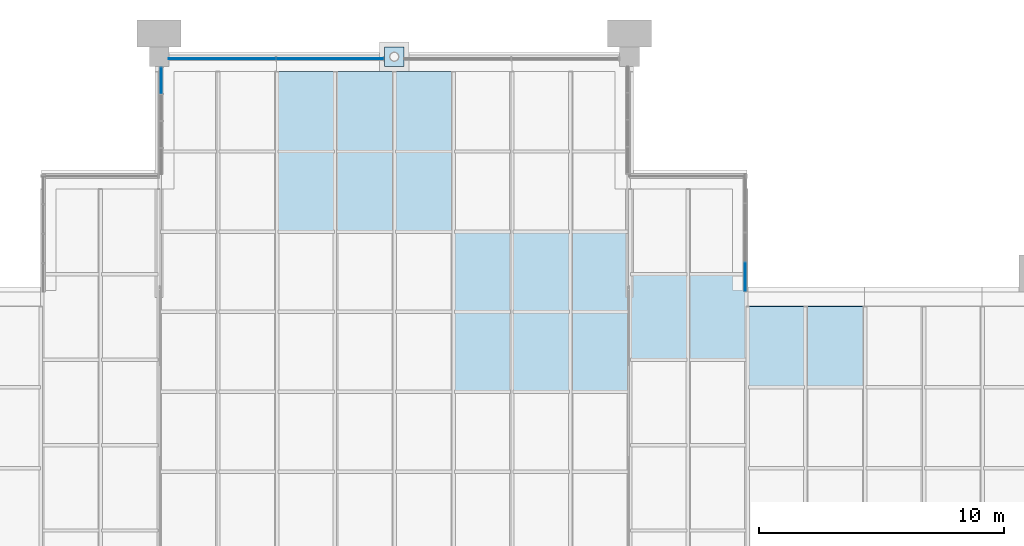
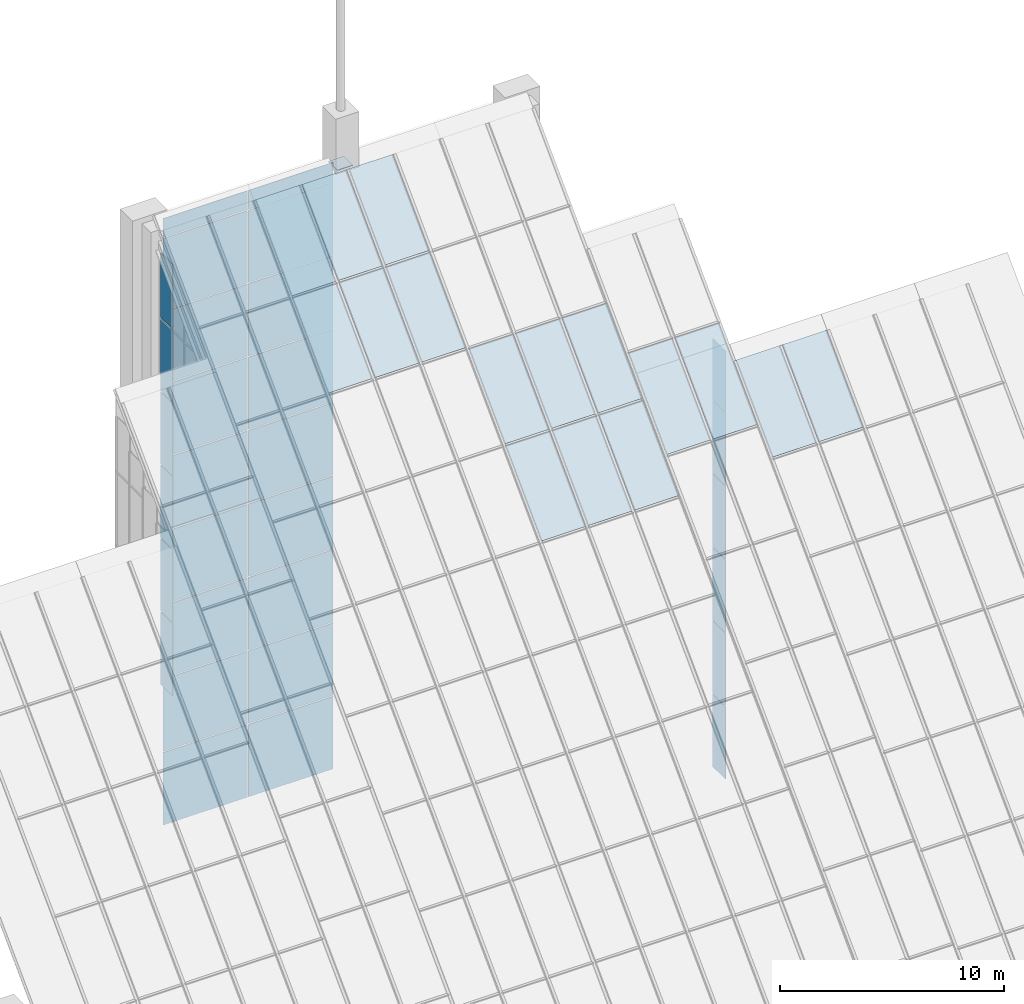
# One storey, part 22 of 25: 47 plates, 40 elements without a shape of their own.
"""IFC4 building model written with IfcOpenShell, lengths in metres."""

from ifc_helpers import new_model, si_unit, direction, frame, origin, origin_2d, place, context, subcontext, project, spatial, polyline, rectangle, outline, extrude, material, layer, layer_set, type_object, element, aggregate, save


model = new_model("IFC4")

# Units and contexts
model_context = context("Model", 3, precision=1e-05, world=origin(), true_north=direction((0.0, 1.0)))
body_context = subcontext(model_context, "Body", "Model", "MODEL_VIEW")
ifc_project = project(units=[si_unit("LENGTHUNIT", "METRE"), si_unit("AREAUNIT", "SQUARE_METRE"), si_unit("VOLUMEUNIT", "CUBIC_METRE"), si_unit("PLANEANGLEUNIT", "RADIAN"), si_unit("MASSUNIT", "GRAM", prefix="KILO")], contexts=[model_context])

# Site, building, storey
site_placement = place(None, origin())
site = spatial("IfcSite", under=ifc_project, at=site_placement, CompositionType="ELEMENT")
building_placement = place(site_placement, origin())
building = spatial("IfcBuilding", under=site, at=building_placement, Name="Baori Bourse Tower", CompositionType="ELEMENT")
storey_placement = place(building_placement, frame((0.0, 0.0, 378.300048828125)))
storey = spatial("IfcBuildingStorey", under=building, at=storey_placement, Name="Roof", CompositionType="ELEMENT", Elevation=378.300048828125)

# Curtain wall, plate
ifc_material_1 = material(Name="Pale anodised aluminium", Category="aluminium")
curtain_wall_type_1 = type_object("IfcCurtainWallType", Name="CW3 Curtain wall", PredefinedType="NOTDEFINED", material=ifc_material_1)
curtain_wall_1_placement = place(storey_placement, origin())
curtain_wall_1 = element("IfcCurtainWall", 1, at=curtain_wall_1_placement, inside=storey, type_object=curtain_wall_type_1, Name="Curtain wall CW3 Roof 1", PredefinedType="NOTDEFINED")
ifc_material_2 = material(Name="Pale anodised aluminium", Category="aluminium")
ifc_layer_1 = layer(ifc_material_2, 0.0400390625)
ifc_layer_set_1 = layer_set([ifc_layer_1], Name="CW3 Curtain wall panel")
plate_type_1 = type_object("IfcPlateType", Name="CW3 Curtain wall panel", PredefinedType="CURTAIN_PANEL", material=ifc_layer_set_1)
plate_1_placement = place(storey_placement, frame((43.1201171875, 39.02490234375, -0.18994140625), z_axis=(0.0, 0.0, 1.0), x_axis=(0.0, 1.0, 0.0)))
plate_1 = element("IfcPlate", 2, at=plate_1_placement, type_object=plate_type_1, Name="Curtain wall CW3 louvre panel", PredefinedType="CURTAIN_PANEL", context=body_context, shape_type="SweptSolid", body=[
    extrude(rectangle(XDim=1.14990234375, YDim=0.0400390625, at=origin_2d()), origin(), (0.0, 0.0, 1.0), 3.93994140625),
])
aggregate(curtain_wall_1, [plate_1])

curtain_wall_2_placement = place(storey_placement, origin())
curtain_wall_2 = element("IfcCurtainWall", 3, at=curtain_wall_2_placement, inside=storey, type_object=curtain_wall_type_1, Name="Curtain wall CW3 Roof 2", PredefinedType="NOTDEFINED")
plate_2_placement = place(storey_placement, frame((43.1201171875, 39.02490234375, 3.81005859375), z_axis=(0.0, 0.0, 1.0), x_axis=(0.0, 1.0, 0.0)))
plate_2 = element("IfcPlate", 4, at=plate_2_placement, type_object=plate_type_1, Name="Curtain wall CW3 louvre panel", PredefinedType="CURTAIN_PANEL", context=body_context, shape_type="SweptSolid", body=[
    extrude(rectangle(XDim=1.14990234375, YDim=0.0400390625, at=origin_2d()), origin(), (0.0, 0.0, 1.0), 3.93994140625),
])
aggregate(curtain_wall_2, [plate_2])

curtain_wall_3_placement = place(storey_placement, origin())
curtain_wall_3 = element("IfcCurtainWall", 5, at=curtain_wall_3_placement, inside=storey, type_object=curtain_wall_type_1, Name="Curtain wall CW3 Roof 3", PredefinedType="NOTDEFINED")
plate_3_placement = place(storey_placement, frame((43.1201171875, 39.02490234375, 7.81005859375), z_axis=(0.0, 0.0, 1.0), x_axis=(0.0, 1.0, 0.0)))
plate_3 = element("IfcPlate", 6, at=plate_3_placement, type_object=plate_type_1, Name="Curtain wall CW3 louvre panel", PredefinedType="CURTAIN_PANEL", context=body_context, shape_type="SweptSolid", body=[
    extrude(rectangle(XDim=1.14990234375, YDim=0.0400390625, at=origin_2d()), origin(), (0.0, 0.0, 1.0), 3.93994140625),
])
aggregate(curtain_wall_3, [plate_3])

curtain_wall_4_placement = place(storey_placement, origin())
curtain_wall_4 = element("IfcCurtainWall", 7, at=curtain_wall_4_placement, inside=storey, type_object=curtain_wall_type_1, Name="Curtain wall CW3 Roof 4", PredefinedType="NOTDEFINED")
plate_4_placement = place(storey_placement, frame((43.1201171875, 39.02490234375, 11.81005859375), z_axis=(0.0, 0.0, 1.0), x_axis=(0.0, 1.0, 0.0)))
plate_4 = element("IfcPlate", 8, at=plate_4_placement, type_object=plate_type_1, Name="Curtain wall CW3 louvre panel", PredefinedType="CURTAIN_PANEL", context=body_context, shape_type="SweptSolid", body=[
    extrude(rectangle(XDim=1.14990234375, YDim=0.0400390625, at=origin_2d()), origin(), (0.0, 0.0, 1.0), 3.93994140625),
])
aggregate(curtain_wall_4, [plate_4])

curtain_wall_5_placement = place(storey_placement, origin())
curtain_wall_5 = element("IfcCurtainWall", 9, at=curtain_wall_5_placement, inside=storey, type_object=curtain_wall_type_1, Name="Curtain wall CW3 Roof 5", PredefinedType="NOTDEFINED")
plate_5_placement = place(storey_placement, frame((43.1201171875, 39.02490234375, 15.81005859375), z_axis=(0.0, 0.0, 1.0), x_axis=(0.0, 1.0, 0.0)))
plate_5 = element("IfcPlate", 10, at=plate_5_placement, type_object=plate_type_1, Name="Curtain wall CW3 louvre panel", PredefinedType="CURTAIN_PANEL", context=body_context, shape_type="SweptSolid", body=[
    extrude(rectangle(XDim=1.14990234375, YDim=0.0400390625, at=origin_2d()), origin(), (0.0, 0.0, 1.0), 3.93994140625),
])
aggregate(curtain_wall_5, [plate_5])

curtain_wall_6_placement = place(storey_placement, origin())
curtain_wall_6 = element("IfcCurtainWall", 11, at=curtain_wall_6_placement, inside=storey, type_object=curtain_wall_type_1, Name="Curtain wall CW3 Roof 6", PredefinedType="NOTDEFINED")
plate_6_placement = place(storey_placement, frame((43.1201171875, 39.02490234375, 19.81005859375), z_axis=(0.0, 0.0, 1.0), x_axis=(0.0, 1.0, 0.0)))
plate_6 = element("IfcPlate", 12, at=plate_6_placement, type_object=plate_type_1, Name="Curtain wall CW3 louvre panel", PredefinedType="CURTAIN_PANEL", context=body_context, shape_type="SweptSolid", body=[
    extrude(rectangle(XDim=1.14990234375, YDim=0.0400390625, at=origin_2d()), origin(), (0.0, 0.0, 1.0), 3.300048828125),
])
aggregate(curtain_wall_6, [plate_6])

curtain_wall_7_placement = place(storey_placement, origin())
curtain_wall_7 = element("IfcCurtainWall", 13, at=curtain_wall_7_placement, inside=storey, type_object=curtain_wall_type_1, Name="Curtain wall CW3 Roof 83", PredefinedType="NOTDEFINED")
plate_7_placement = place(storey_placement, frame((26.175048828125, 47.919921875, -0.18994140625), z_axis=(0.0, 0.0, 1.0), x_axis=(-1.0, 0.0, 0.0)))
plate_7 = element("IfcPlate", 14, at=plate_7_placement, type_object=plate_type_1, Name="Curtain wall CW3 louvre panel", PredefinedType="CURTAIN_PANEL", context=body_context, shape_type="SweptSolid", body=[
    extrude(rectangle(XDim=4.35009765625, YDim=0.0400390625, at=origin_2d()), origin(), (0.0, 0.0, 1.0), 3.93994140625),
])
aggregate(curtain_wall_7, [plate_7])

curtain_wall_8_placement = place(storey_placement, origin())
curtain_wall_8 = element("IfcCurtainWall", 15, at=curtain_wall_8_placement, inside=storey, type_object=curtain_wall_type_1, Name="Curtain wall CW3 Roof 84", PredefinedType="NOTDEFINED")
plate_8_placement = place(storey_placement, frame((26.175048828125, 47.919921875, 3.81005859375), z_axis=(0.0, 0.0, 1.0), x_axis=(-1.0, 0.0, 0.0)))
plate_8 = element("IfcPlate", 16, at=plate_8_placement, type_object=plate_type_1, Name="Curtain wall CW3 louvre panel", PredefinedType="CURTAIN_PANEL", context=body_context, shape_type="SweptSolid", body=[
    extrude(rectangle(XDim=4.35009765625, YDim=0.0400390625, at=origin_2d()), origin(), (0.0, 0.0, 1.0), 3.93994140625),
])
aggregate(curtain_wall_8, [plate_8])

curtain_wall_9_placement = place(storey_placement, origin())
curtain_wall_9 = element("IfcCurtainWall", 17, at=curtain_wall_9_placement, inside=storey, type_object=curtain_wall_type_1, Name="Curtain wall CW3 Roof 85", PredefinedType="NOTDEFINED")
plate_9_placement = place(storey_placement, frame((26.175048828125, 47.919921875, 7.81005859375), z_axis=(0.0, 0.0, 1.0), x_axis=(-1.0, 0.0, 0.0)))
plate_9 = element("IfcPlate", 18, at=plate_9_placement, type_object=plate_type_1, Name="Curtain wall CW3 louvre panel", PredefinedType="CURTAIN_PANEL", context=body_context, shape_type="SweptSolid", body=[
    extrude(rectangle(XDim=4.35009765625, YDim=0.0400390625, at=origin_2d()), origin(), (0.0, 0.0, 1.0), 3.93994140625),
])
aggregate(curtain_wall_9, [plate_9])

curtain_wall_10_placement = place(storey_placement, origin())
curtain_wall_10 = element("IfcCurtainWall", 19, at=curtain_wall_10_placement, inside=storey, type_object=curtain_wall_type_1, Name="Curtain wall CW3 Roof 86", PredefinedType="NOTDEFINED")
plate_10_placement = place(storey_placement, frame((26.175048828125, 47.919921875, 11.81005859375), z_axis=(0.0, 0.0, 1.0), x_axis=(-1.0, 0.0, 0.0)))
plate_10 = element("IfcPlate", 20, at=plate_10_placement, type_object=plate_type_1, Name="Curtain wall CW3 louvre panel", PredefinedType="CURTAIN_PANEL", context=body_context, shape_type="SweptSolid", body=[
    extrude(rectangle(XDim=4.35009765625, YDim=0.0400390625, at=origin_2d()), origin(), (0.0, 0.0, 1.0), 3.93994140625),
])
aggregate(curtain_wall_10, [plate_10])

curtain_wall_11_placement = place(storey_placement, origin())
curtain_wall_11 = element("IfcCurtainWall", 21, at=curtain_wall_11_placement, inside=storey, type_object=curtain_wall_type_1, Name="Curtain wall CW3 Roof 87", PredefinedType="NOTDEFINED")
plate_11_placement = place(storey_placement, frame((26.175048828125, 47.919921875, 15.81005859375), z_axis=(0.0, 0.0, 1.0), x_axis=(-1.0, 0.0, 0.0)))
plate_11 = element("IfcPlate", 22, at=plate_11_placement, type_object=plate_type_1, Name="Curtain wall CW3 louvre panel", PredefinedType="CURTAIN_PANEL", context=body_context, shape_type="SweptSolid", body=[
    extrude(rectangle(XDim=4.35009765625, YDim=0.0400390625, at=origin_2d()), origin(), (0.0, 0.0, 1.0), 3.93994140625),
])
aggregate(curtain_wall_11, [plate_11])

curtain_wall_12_placement = place(storey_placement, origin())
curtain_wall_12 = element("IfcCurtainWall", 23, at=curtain_wall_12_placement, inside=storey, type_object=curtain_wall_type_1, Name="Curtain wall CW3 Roof 88", PredefinedType="NOTDEFINED")
plate_12_placement = place(storey_placement, frame((26.175048828125, 47.919921875, 19.81005859375), z_axis=(0.0, 0.0, 1.0), x_axis=(-1.0, 0.0, 0.0)))
plate_12 = element("IfcPlate", 24, at=plate_12_placement, type_object=plate_type_1, Name="Curtain wall CW3 louvre panel", PredefinedType="CURTAIN_PANEL", context=body_context, shape_type="SweptSolid", body=[
    extrude(rectangle(XDim=4.35009765625, YDim=0.0400390625, at=origin_2d()), origin(), (0.0, 0.0, 1.0), 3.93994140625),
])
aggregate(curtain_wall_12, [plate_12])

curtain_wall_13_placement = place(storey_placement, origin())
curtain_wall_13 = element("IfcCurtainWall", 25, at=curtain_wall_13_placement, inside=storey, type_object=curtain_wall_type_1, Name="Curtain wall CW3 Roof 89", PredefinedType="NOTDEFINED")
plate_13_placement = place(storey_placement, frame((26.175048828125, 47.919921875, 23.81005859375), z_axis=(0.0, 0.0, 1.0), x_axis=(-1.0, 0.0, 0.0)))
plate_13 = element("IfcPlate", 26, at=plate_13_placement, type_object=plate_type_1, Name="Curtain wall CW3 louvre panel", PredefinedType="CURTAIN_PANEL", context=body_context, shape_type="SweptSolid", body=[
    extrude(rectangle(XDim=4.35009765625, YDim=0.0400390625, at=origin_2d()), origin(), (0.0, 0.0, 1.0), 3.93994140625),
])
aggregate(curtain_wall_13, [plate_13])

curtain_wall_14_placement = place(storey_placement, origin())
curtain_wall_14 = element("IfcCurtainWall", 27, at=curtain_wall_14_placement, inside=storey, type_object=curtain_wall_type_1, Name="Curtain wall CW3 Roof 90", PredefinedType="NOTDEFINED")
plate_14_placement = place(storey_placement, frame((26.175048828125, 47.919921875, 27.81005859375), z_axis=(0.0, 0.0, 1.0), x_axis=(-1.0, 0.0, 0.0)))
plate_14 = element("IfcPlate", 28, at=plate_14_placement, type_object=plate_type_1, Name="Curtain wall CW3 louvre panel", PredefinedType="CURTAIN_PANEL", context=body_context, shape_type="SweptSolid", body=[
    extrude(rectangle(XDim=4.35009765625, YDim=0.0400390625, at=origin_2d()), origin(), (0.0, 0.0, 1.0), 3.93994140625),
])
aggregate(curtain_wall_14, [plate_14])

curtain_wall_15_placement = place(storey_placement, origin())
curtain_wall_15 = element("IfcCurtainWall", 29, at=curtain_wall_15_placement, inside=storey, type_object=curtain_wall_type_1, Name="Curtain wall CW3 Roof 91", PredefinedType="NOTDEFINED")
plate_15_placement = place(storey_placement, frame((26.175048828125, 47.919921875, 31.81005859375), z_axis=(0.0, 0.0, 1.0), x_axis=(-1.0, 0.0, 0.0)))
plate_15 = element("IfcPlate", 30, at=plate_15_placement, type_object=plate_type_1, Name="Curtain wall CW3 louvre panel", PredefinedType="CURTAIN_PANEL", context=body_context, shape_type="SweptSolid", body=[
    extrude(rectangle(XDim=4.35009765625, YDim=0.0400390625, at=origin_2d()), origin(), (0.0, 0.0, 1.0), 1.02001953125),
])
aggregate(curtain_wall_15, [plate_15])

curtain_wall_16_placement = place(storey_placement, origin())
curtain_wall_16 = element("IfcCurtainWall", 31, at=curtain_wall_16_placement, inside=storey, type_object=curtain_wall_type_1, Name="Curtain wall CW3 Roof 92", PredefinedType="NOTDEFINED")
plate_16_placement = place(storey_placement, frame((21.77490234375, 47.919921875, -0.18994140625), z_axis=(0.0, 0.0, 1.0), x_axis=(-1.0, 0.0, 0.0)))
plate_16 = element("IfcPlate", 32, at=plate_16_placement, type_object=plate_type_1, Name="Curtain wall CW3 louvre panel", PredefinedType="CURTAIN_PANEL", context=body_context, shape_type="SweptSolid", body=[
    extrude(rectangle(XDim=4.35009765625, YDim=0.0400390625, at=origin_2d()), origin(), (0.0, 0.0, 1.0), 3.93994140625),
])
aggregate(curtain_wall_16, [plate_16])

curtain_wall_17_placement = place(storey_placement, origin())
curtain_wall_17 = element("IfcCurtainWall", 33, at=curtain_wall_17_placement, inside=storey, type_object=curtain_wall_type_1, Name="Curtain wall CW3 Roof 93", PredefinedType="NOTDEFINED")
plate_17_placement = place(storey_placement, frame((21.77490234375, 47.919921875, 3.81005859375), z_axis=(0.0, 0.0, 1.0), x_axis=(-1.0, 0.0, 0.0)))
plate_17 = element("IfcPlate", 34, at=plate_17_placement, type_object=plate_type_1, Name="Curtain wall CW3 louvre panel", PredefinedType="CURTAIN_PANEL", context=body_context, shape_type="SweptSolid", body=[
    extrude(rectangle(XDim=4.35009765625, YDim=0.0400390625, at=origin_2d()), origin(), (0.0, 0.0, 1.0), 3.93994140625),
])
aggregate(curtain_wall_17, [plate_17])

curtain_wall_18_placement = place(storey_placement, origin())
curtain_wall_18 = element("IfcCurtainWall", 35, at=curtain_wall_18_placement, inside=storey, type_object=curtain_wall_type_1, Name="Curtain wall CW3 Roof 94", PredefinedType="NOTDEFINED")
plate_18_placement = place(storey_placement, frame((21.77490234375, 47.919921875, 7.81005859375), z_axis=(0.0, 0.0, 1.0), x_axis=(-1.0, 0.0, 0.0)))
plate_18 = element("IfcPlate", 36, at=plate_18_placement, type_object=plate_type_1, Name="Curtain wall CW3 louvre panel", PredefinedType="CURTAIN_PANEL", context=body_context, shape_type="SweptSolid", body=[
    extrude(rectangle(XDim=4.35009765625, YDim=0.0400390625, at=origin_2d()), origin(), (0.0, 0.0, 1.0), 3.93994140625),
])
aggregate(curtain_wall_18, [plate_18])

curtain_wall_19_placement = place(storey_placement, origin())
curtain_wall_19 = element("IfcCurtainWall", 37, at=curtain_wall_19_placement, inside=storey, type_object=curtain_wall_type_1, Name="Curtain wall CW3 Roof 95", PredefinedType="NOTDEFINED")
plate_19_placement = place(storey_placement, frame((21.77490234375, 47.919921875, 11.81005859375), z_axis=(0.0, 0.0, 1.0), x_axis=(-1.0, 0.0, 0.0)))
plate_19 = element("IfcPlate", 38, at=plate_19_placement, type_object=plate_type_1, Name="Curtain wall CW3 louvre panel", PredefinedType="CURTAIN_PANEL", context=body_context, shape_type="SweptSolid", body=[
    extrude(rectangle(XDim=4.35009765625, YDim=0.0400390625, at=origin_2d()), origin(), (0.0, 0.0, 1.0), 3.93994140625),
])
aggregate(curtain_wall_19, [plate_19])

curtain_wall_20_placement = place(storey_placement, origin())
curtain_wall_20 = element("IfcCurtainWall", 39, at=curtain_wall_20_placement, inside=storey, type_object=curtain_wall_type_1, Name="Curtain wall CW3 Roof 96", PredefinedType="NOTDEFINED")
plate_20_placement = place(storey_placement, frame((21.77490234375, 47.919921875, 15.81005859375), z_axis=(0.0, 0.0, 1.0), x_axis=(-1.0, 0.0, 0.0)))
plate_20 = element("IfcPlate", 40, at=plate_20_placement, type_object=plate_type_1, Name="Curtain wall CW3 louvre panel", PredefinedType="CURTAIN_PANEL", context=body_context, shape_type="SweptSolid", body=[
    extrude(rectangle(XDim=4.35009765625, YDim=0.0400390625, at=origin_2d()), origin(), (0.0, 0.0, 1.0), 3.93994140625),
])
aggregate(curtain_wall_20, [plate_20])

curtain_wall_21_placement = place(storey_placement, origin())
curtain_wall_21 = element("IfcCurtainWall", 41, at=curtain_wall_21_placement, inside=storey, type_object=curtain_wall_type_1, Name="Curtain wall CW3 Roof 97", PredefinedType="NOTDEFINED")
plate_21_placement = place(storey_placement, frame((21.77490234375, 47.919921875, 19.81005859375), z_axis=(0.0, 0.0, 1.0), x_axis=(-1.0, 0.0, 0.0)))
plate_21 = element("IfcPlate", 42, at=plate_21_placement, type_object=plate_type_1, Name="Curtain wall CW3 louvre panel", PredefinedType="CURTAIN_PANEL", context=body_context, shape_type="SweptSolid", body=[
    extrude(rectangle(XDim=4.35009765625, YDim=0.0400390625, at=origin_2d()), origin(), (0.0, 0.0, 1.0), 3.93994140625),
])
aggregate(curtain_wall_21, [plate_21])

curtain_wall_22_placement = place(storey_placement, origin())
curtain_wall_22 = element("IfcCurtainWall", 43, at=curtain_wall_22_placement, inside=storey, type_object=curtain_wall_type_1, Name="Curtain wall CW3 Roof 98", PredefinedType="NOTDEFINED")
plate_22_placement = place(storey_placement, frame((21.77490234375, 47.919921875, 23.81005859375), z_axis=(0.0, 0.0, 1.0), x_axis=(-1.0, 0.0, 0.0)))
plate_22 = element("IfcPlate", 44, at=plate_22_placement, type_object=plate_type_1, Name="Curtain wall CW3 louvre panel", PredefinedType="CURTAIN_PANEL", context=body_context, shape_type="SweptSolid", body=[
    extrude(rectangle(XDim=4.35009765625, YDim=0.0400390625, at=origin_2d()), origin(), (0.0, 0.0, 1.0), 3.93994140625),
])
aggregate(curtain_wall_22, [plate_22])

curtain_wall_23_placement = place(storey_placement, origin())
curtain_wall_23 = element("IfcCurtainWall", 45, at=curtain_wall_23_placement, inside=storey, type_object=curtain_wall_type_1, Name="Curtain wall CW3 Roof 99", PredefinedType="NOTDEFINED")
plate_23_placement = place(storey_placement, frame((21.77490234375, 47.919921875, 27.81005859375), z_axis=(0.0, 0.0, 1.0), x_axis=(-1.0, 0.0, 0.0)))
plate_23 = element("IfcPlate", 46, at=plate_23_placement, type_object=plate_type_1, Name="Curtain wall CW3 louvre panel", PredefinedType="CURTAIN_PANEL", context=body_context, shape_type="SweptSolid", body=[
    extrude(rectangle(XDim=4.35009765625, YDim=0.0400390625, at=origin_2d()), origin(), (0.0, 0.0, 1.0), 3.93994140625),
])
aggregate(curtain_wall_23, [plate_23])

curtain_wall_24_placement = place(storey_placement, origin())
curtain_wall_24 = element("IfcCurtainWall", 47, at=curtain_wall_24_placement, inside=storey, type_object=curtain_wall_type_1, Name="Curtain wall CW3 Roof 100", PredefinedType="NOTDEFINED")
plate_24_placement = place(storey_placement, frame((21.77490234375, 47.919921875, 31.81005859375), z_axis=(0.0, 0.0, 1.0), x_axis=(-1.0, 0.0, 0.0)))
plate_24 = element("IfcPlate", 48, at=plate_24_placement, type_object=plate_type_1, Name="Curtain wall CW3 louvre panel", PredefinedType="CURTAIN_PANEL", context=body_context, shape_type="SweptSolid", body=[
    extrude(rectangle(XDim=4.35009765625, YDim=0.0400390625, at=origin_2d()), origin(), (0.0, 0.0, 1.0), 1.02001953125),
])
aggregate(curtain_wall_24, [plate_24])

curtain_wall_25_placement = place(storey_placement, origin())
curtain_wall_25 = element("IfcCurtainWall", 49, at=curtain_wall_25_placement, inside=storey, type_object=curtain_wall_type_1, Name="Curtain wall CW3 Roof 103", PredefinedType="NOTDEFINED")
plate_25_placement = place(storey_placement, frame((19.280029296875, 47.02490234375, 7.81005859375), z_axis=(0.0, 0.0, 1.0), x_axis=(0.0, -1.0, 0.0)))
plate_25 = element("IfcPlate", 50, at=plate_25_placement, type_object=plate_type_1, Name="Curtain wall CW3 louvre panel", PredefinedType="CURTAIN_PANEL", context=body_context, shape_type="SweptSolid", body=[
    extrude(rectangle(XDim=1.050048828125, YDim=0.0400390625, at=origin_2d()), origin(), (0.0, 0.0, 1.0), 3.93994140625),
])
aggregate(curtain_wall_25, [plate_25])

curtain_wall_26_placement = place(storey_placement, origin())
curtain_wall_26 = element("IfcCurtainWall", 51, at=curtain_wall_26_placement, inside=storey, type_object=curtain_wall_type_1, Name="Curtain wall CW3 Roof 104", PredefinedType="NOTDEFINED")
plate_26_placement = place(storey_placement, frame((19.280029296875, 47.02490234375, 11.81005859375), z_axis=(0.0, 0.0, 1.0), x_axis=(0.0, -1.0, 0.0)))
plate_26 = element("IfcPlate", 52, at=plate_26_placement, type_object=plate_type_1, Name="Curtain wall CW3 louvre panel", PredefinedType="CURTAIN_PANEL", context=body_context, shape_type="SweptSolid", body=[
    extrude(rectangle(XDim=1.050048828125, YDim=0.0400390625, at=origin_2d()), origin(), (0.0, 0.0, 1.0), 3.93994140625),
])
aggregate(curtain_wall_26, [plate_26])

curtain_wall_27_placement = place(storey_placement, origin())
curtain_wall_27 = element("IfcCurtainWall", 53, at=curtain_wall_27_placement, inside=storey, type_object=curtain_wall_type_1, Name="Curtain wall CW3 Roof 105", PredefinedType="NOTDEFINED")
plate_27_placement = place(storey_placement, frame((19.280029296875, 47.02490234375, 15.81005859375), z_axis=(0.0, 0.0, 1.0), x_axis=(0.0, -1.0, 0.0)))
plate_27 = element("IfcPlate", 54, at=plate_27_placement, type_object=plate_type_1, Name="Curtain wall CW3 louvre panel", PredefinedType="CURTAIN_PANEL", context=body_context, shape_type="SweptSolid", body=[
    extrude(rectangle(XDim=1.050048828125, YDim=0.0400390625, at=origin_2d()), origin(), (0.0, 0.0, 1.0), 3.93994140625),
])
aggregate(curtain_wall_27, [plate_27])

curtain_wall_28_placement = place(storey_placement, origin())
curtain_wall_28 = element("IfcCurtainWall", 55, at=curtain_wall_28_placement, inside=storey, type_object=curtain_wall_type_1, Name="Curtain wall CW3 Roof 106", PredefinedType="NOTDEFINED")
plate_28_placement = place(storey_placement, frame((19.280029296875, 47.02490234375, 19.81005859375), z_axis=(0.0, 0.0, 1.0), x_axis=(0.0, -1.0, 0.0)))
plate_28 = element("IfcPlate", 56, at=plate_28_placement, type_object=plate_type_1, Name="Curtain wall CW3 louvre panel", PredefinedType="CURTAIN_PANEL", context=body_context, shape_type="SweptSolid", body=[
    extrude(rectangle(XDim=1.050048828125, YDim=0.0400390625, at=origin_2d()), origin(), (0.0, 0.0, 1.0), 3.93994140625),
])
aggregate(curtain_wall_28, [plate_28])

curtain_wall_29_placement = place(storey_placement, origin())
curtain_wall_29 = element("IfcCurtainWall", 57, at=curtain_wall_29_placement, inside=storey, type_object=curtain_wall_type_1, Name="Curtain wall CW3 Roof 107", PredefinedType="NOTDEFINED")
plate_29_placement = place(storey_placement, frame((19.280029296875, 47.02490234375, 23.81005859375), z_axis=(0.0, 0.0, 1.0), x_axis=(0.0, -1.0, 0.0)))
plate_29 = element("IfcPlate", 58, at=plate_29_placement, type_object=plate_type_1, Name="Curtain wall CW3 louvre panel", PredefinedType="CURTAIN_PANEL", context=body_context, shape_type="SweptSolid", body=[
    extrude(rectangle(XDim=1.050048828125, YDim=0.0400390625, at=origin_2d()), origin(), (0.0, 0.0, 1.0), 3.93994140625),
])
aggregate(curtain_wall_29, [plate_29])

curtain_wall_30_placement = place(storey_placement, origin())
curtain_wall_30 = element("IfcCurtainWall", 59, at=curtain_wall_30_placement, inside=storey, type_object=curtain_wall_type_1, Name="Curtain wall CW3 Roof 108", PredefinedType="NOTDEFINED")
plate_30_placement = place(storey_placement, frame((19.280029296875, 47.02490234375, 27.81005859375), z_axis=(0.0, 0.0, 1.0), x_axis=(0.0, -1.0, 0.0)))
plate_30 = element("IfcPlate", 60, at=plate_30_placement, type_object=plate_type_1, Name="Curtain wall CW3 louvre panel", PredefinedType="CURTAIN_PANEL", context=body_context, shape_type="SweptSolid", body=[
    extrude(rectangle(XDim=1.050048828125, YDim=0.0400390625, at=origin_2d()), origin(), (0.0, 0.0, 1.0), 3.501220703125),
])
aggregate(curtain_wall_30, [plate_30])

# Curtain wall, plates
ifc_material_3 = material(Name="Pale anodised aluminium", Category="aluminium")
curtain_wall_type_2 = type_object("IfcCurtainWallType", Name="CW4 Curtain wall", PredefinedType="NOTDEFINED", material=ifc_material_3)
curtain_wall_31_placement = place(storey_placement, origin())
curtain_wall_31 = element("IfcCurtainWall", 61, at=curtain_wall_31_placement, inside=storey, type_object=curtain_wall_type_2, Name="Curtain wall CW4 roof glazing 13", PredefinedType="NOTDEFINED")
ifc_material_4 = material(Name="Clear glass", Category="glass")
ifc_layer_2 = layer(ifc_material_4, 0.02587890625)
ifc_layer_set_2 = layer_set([ifc_layer_2], Name="CW4 Curtain wall panel")
plate_type_2 = type_object("IfcPlateType", Name="CW4 Curtain wall panel", PredefinedType="CURTAIN_PANEL", material=ifc_layer_set_2)
plate_31_placement = place(storey_placement, frame((24.050048828125, 40.89208984375, 26.021484375), z_axis=(0.0, -0.711472169684, 0.702714274628), x_axis=(1.0, 0.0, 0.0)))
plate_31 = element("IfcPlate", 62, at=plate_31_placement, type_object=plate_type_2, Name="Curtain wall CW4 roof glass 13.9", PredefinedType="CURTAIN_PANEL", context=body_context, shape_type="SweptSolid", body=[
    extrude(outline(polyline([(0.0, 0.0), (2.300048828125, 0.0), (2.300048828125, 4.571767787236855), (0.0, 4.571767787236855), (0.0, 0.0)])), origin(), (0.0, 0.0, -1.0), 0.02587890625),
])
plate_32_placement = place(storey_placement, frame((24.050048828125, 44.159912109375, 29.329833984375), z_axis=(0.0, -0.711514110616, 0.702671808453), x_axis=(1.0, 0.0, 0.0)))
plate_32 = element("IfcPlate", 63, at=plate_32_placement, type_object=plate_type_2, Name="Curtain wall CW4 roof glass 13.10", PredefinedType="CURTAIN_PANEL", context=body_context, shape_type="SweptSolid", body=[
    extrude(outline(polyline([(0.0, 0.0), (2.300048828125, 0.0), (2.300048828125, 4.610958053817105), (0.0, 4.610958053817105), (0.0, 0.0)])), origin(), (0.0, 0.0, -1.0), 0.02587890625),
])
aggregate(curtain_wall_31, [plate_31, plate_32])

curtain_wall_32_placement = place(storey_placement, origin())
curtain_wall_32 = element("IfcCurtainWall", 64, at=curtain_wall_32_placement, inside=storey, type_object=curtain_wall_type_2, Name="Curtain wall CW4 roof glazing 15", PredefinedType="NOTDEFINED")
plate_33_placement = place(storey_placement, frame((26.449951171875, 40.89208984375, 26.021484375), z_axis=(0.0, -0.711472169684, 0.702714274628), x_axis=(1.0, 0.0, 0.0)))
plate_33 = element("IfcPlate", 65, at=plate_33_placement, type_object=plate_type_2, Name="Curtain wall CW4 roof glass 15.9", PredefinedType="CURTAIN_PANEL", context=body_context, shape_type="SweptSolid", body=[
    extrude(outline(polyline([(0.0, 0.0), (2.300048828125, 0.0), (2.300048828125, 4.571767787236855), (0.0, 4.571767787236855), (0.0, 0.0)])), origin(), (0.0, 0.0, -1.0), 0.02587890625),
])
plate_34_placement = place(storey_placement, frame((26.449951171875, 44.159912109375, 29.329833984375), z_axis=(0.0, -0.711514110616, 0.702671808453), x_axis=(1.0, 0.0, 0.0)))
plate_34 = element("IfcPlate", 66, at=plate_34_placement, type_object=plate_type_2, Name="Curtain wall CW4 roof glass 15.10", PredefinedType="CURTAIN_PANEL", context=body_context, shape_type="SweptSolid", body=[
    extrude(outline(polyline([(0.0, 0.0), (2.300048828125, 0.0), (2.300048828125, 4.610958053817105), (0.0, 4.610958053817105), (0.0, 0.0)])), origin(), (0.0, 0.0, -1.0), 0.02587890625),
])
aggregate(curtain_wall_32, [plate_33, plate_34])

curtain_wall_33_placement = place(storey_placement, origin())
curtain_wall_33 = element("IfcCurtainWall", 67, at=curtain_wall_33_placement, inside=storey, type_object=curtain_wall_type_2, Name="Curtain wall CW4 roof glazing 17", PredefinedType="NOTDEFINED")
plate_35_placement = place(storey_placement, frame((28.85009765625, 40.89208984375, 26.021484375), z_axis=(0.0, -0.711472169684, 0.702714274628), x_axis=(1.0, 0.0, 0.0)))
plate_35 = element("IfcPlate", 68, at=plate_35_placement, type_object=plate_type_2, Name="Curtain wall CW4 roof glass 17.9", PredefinedType="CURTAIN_PANEL", context=body_context, shape_type="SweptSolid", body=[
    extrude(outline(polyline([(0.0, 0.0), (2.2998046875, 0.0), (2.2998046875, 4.571767787236855), (0.0, 4.571767787236855), (0.0, 0.0)])), origin(), (0.0, 0.0, -1.0), 0.02587890625),
])
plate_36_placement = place(storey_placement, frame((28.85009765625, 44.159912109375, 29.329833984375), z_axis=(0.0, -0.711514110616, 0.702671808453), x_axis=(1.0, 0.0, 0.0)))
plate_36 = element("IfcPlate", 69, at=plate_36_placement, type_object=plate_type_2, Name="Curtain wall CW4 roof glass 17.10", PredefinedType="CURTAIN_PANEL", context=body_context, shape_type="SweptSolid", body=[
    extrude(outline(polyline([(0.0, 0.0), (2.2998046875, 0.0), (2.2998046875, 4.610958053817105), (0.0, 4.610958053817105), (0.0, 0.0)])), origin(), (0.0, 0.0, -1.0), 0.02587890625),
])
aggregate(curtain_wall_33, [plate_35, plate_36])

curtain_wall_34_placement = place(storey_placement, origin())
curtain_wall_34 = element("IfcCurtainWall", 70, at=curtain_wall_34_placement, inside=storey, type_object=curtain_wall_type_2, Name="Curtain wall CW4 roof glazing 19", PredefinedType="NOTDEFINED")
plate_37_placement = place(storey_placement, frame((31.25, 34.35693359375, 19.404296875), z_axis=(0.0, -0.711498538382, 0.702687576296), x_axis=(1.0, 0.0, 0.0)))
plate_37 = element("IfcPlate", 71, at=plate_37_placement, type_object=plate_type_2, Name="Curtain wall CW4 roof glass 19.7", PredefinedType="CURTAIN_PANEL", context=body_context, shape_type="SweptSolid", body=[
    extrude(outline(polyline([(0.0, 0.0), (2.300048828125, 0.0), (2.300048828125, 4.571941489715928), (0.0, 4.571941489715928), (0.0, 0.0)])), origin(), (0.0, 0.0, -1.0), 0.02587890625),
])
plate_38_placement = place(storey_placement, frame((31.25, 37.62451171875, 22.712890625), z_axis=(0.0, -0.711498538382, 0.702687576296), x_axis=(1.0, 0.0, 0.0)))
plate_38 = element("IfcPlate", 72, at=plate_38_placement, type_object=plate_type_2, Name="Curtain wall CW4 roof glass 19.8", PredefinedType="CURTAIN_PANEL", context=body_context, shape_type="SweptSolid", body=[
    extrude(outline(polyline([(0.0, 0.0), (2.300048828125, 0.0), (2.300048828125, 4.571941489715928), (0.0, 4.571941489715928), (0.0, 0.0)])), origin(), (0.0, 0.0, -1.0), 0.02587890625),
])
aggregate(curtain_wall_34, [plate_37, plate_38])

curtain_wall_35_placement = place(storey_placement, origin())
curtain_wall_35 = element("IfcCurtainWall", 73, at=curtain_wall_35_placement, inside=storey, type_object=curtain_wall_type_2, Name="Curtain wall CW4 roof glazing 21", PredefinedType="NOTDEFINED")
plate_39_placement = place(storey_placement, frame((33.64990234375, 34.35693359375, 19.404296875), z_axis=(0.0, -0.711498538382, 0.702687576296), x_axis=(1.0, 0.0, 0.0)))
plate_39 = element("IfcPlate", 74, at=plate_39_placement, type_object=plate_type_2, Name="Curtain wall CW4 roof glass 21.7", PredefinedType="CURTAIN_PANEL", context=body_context, shape_type="SweptSolid", body=[
    extrude(outline(polyline([(0.0, 0.0), (2.300048828125, 0.0), (2.300048828125, 4.571941489715928), (0.0, 4.571941489715928), (0.0, 0.0)])), origin(), (0.0, 0.0, -1.0), 0.02587890625),
])
plate_40_placement = place(storey_placement, frame((33.64990234375, 37.62451171875, 22.712890625), z_axis=(0.0, -0.711498538382, 0.702687576296), x_axis=(1.0, 0.0, 0.0)))
plate_40 = element("IfcPlate", 75, at=plate_40_placement, type_object=plate_type_2, Name="Curtain wall CW4 roof glass 21.8", PredefinedType="CURTAIN_PANEL", context=body_context, shape_type="SweptSolid", body=[
    extrude(outline(polyline([(0.0, 0.0), (2.300048828125, 0.0), (2.300048828125, 4.571941489715928), (0.0, 4.571941489715928), (0.0, 0.0)])), origin(), (0.0, 0.0, -1.0), 0.02587890625),
])
aggregate(curtain_wall_35, [plate_39, plate_40])

curtain_wall_36_placement = place(storey_placement, origin())
curtain_wall_36 = element("IfcCurtainWall", 76, at=curtain_wall_36_placement, inside=storey, type_object=curtain_wall_type_2, Name="Curtain wall CW4 roof glazing 23", PredefinedType="NOTDEFINED")
plate_41_placement = place(storey_placement, frame((36.050048828125, 34.35693359375, 19.404296875), z_axis=(0.0, -0.711498538382, 0.702687576296), x_axis=(1.0, 0.0, 0.0)))
plate_41 = element("IfcPlate", 77, at=plate_41_placement, type_object=plate_type_2, Name="Curtain wall CW4 roof glass 23.7", PredefinedType="CURTAIN_PANEL", context=body_context, shape_type="SweptSolid", body=[
    extrude(outline(polyline([(0.0, 0.0), (2.300048828125, 0.0), (2.300048828125, 4.571941489715928), (0.0, 4.571941489715928), (0.0, 0.0)])), origin(), (0.0, 0.0, -1.0), 0.02587890625),
])
plate_42_placement = place(storey_placement, frame((36.050048828125, 37.62451171875, 22.712890625), z_axis=(0.0, -0.711498538382, 0.702687576296), x_axis=(1.0, 0.0, 0.0)))
plate_42 = element("IfcPlate", 78, at=plate_42_placement, type_object=plate_type_2, Name="Curtain wall CW4 roof glass 23.8", PredefinedType="CURTAIN_PANEL", context=body_context, shape_type="SweptSolid", body=[
    extrude(outline(polyline([(0.0, 0.0), (2.300048828125, 0.0), (2.300048828125, 4.571941489715928), (0.0, 4.571941489715928), (0.0, 0.0)])), origin(), (0.0, 0.0, -1.0), 0.02587890625),
])
aggregate(curtain_wall_36, [plate_41, plate_42])

# Curtain wall, plate
curtain_wall_37_placement = place(storey_placement, origin())
curtain_wall_37 = element("IfcCurtainWall", 79, at=curtain_wall_37_placement, inside=storey, type_object=curtain_wall_type_2, Name="Curtain wall CW4 roof glazing 25", PredefinedType="NOTDEFINED")
plate_43_placement = place(storey_placement, frame((38.449951171875, 35.658447265625, 20.8076171875), z_axis=(0.0, -0.711495214068, 0.702690942277), x_axis=(1.0, 0.0, 0.0)))
plate_43 = element("IfcPlate", 80, at=plate_43_placement, type_object=plate_type_2, Name="Curtain wall CW4 roof glass 25.7", PredefinedType="CURTAIN_PANEL", context=body_context, shape_type="SweptSolid", body=[
    extrude(outline(polyline([(0.0, 0.0), (2.300048828125, 0.0), (2.300048828125, 4.88044338277737), (0.0, 4.88044338277737), (0.0, 0.0)])), origin(), (0.0, 0.0, -1.0), 0.02587890625),
])
aggregate(curtain_wall_37, [plate_43])

curtain_wall_38_placement = place(storey_placement, origin())
curtain_wall_38 = element("IfcCurtainWall", 81, at=curtain_wall_38_placement, inside=storey, type_object=curtain_wall_type_2, Name="Curtain wall CW4 roof glazing 27", PredefinedType="NOTDEFINED")
plate_44_placement = place(storey_placement, frame((40.85009765625, 35.658447265625, 20.8076171875), z_axis=(0.0, -0.711495214068, 0.702690942277), x_axis=(1.0, 0.0, 0.0)))
plate_44 = element("IfcPlate", 82, at=plate_44_placement, type_object=plate_type_2, Name="Curtain wall CW4 roof glass 27.7", PredefinedType="CURTAIN_PANEL", context=body_context, shape_type="SweptSolid", body=[
    extrude(outline(polyline([(0.0, 0.0), (2.2998046875, 0.0), (2.2998046875, 4.88044338277737), (0.0, 4.88044338277737), (0.0, 0.0)])), origin(), (0.0, 0.0, -1.0), 0.02587890625),
])
aggregate(curtain_wall_38, [plate_44])

curtain_wall_39_placement = place(storey_placement, origin())
curtain_wall_39 = element("IfcCurtainWall", 83, at=curtain_wall_39_placement, inside=storey, type_object=curtain_wall_type_2, Name="Curtain wall CW4 roof glazing 28", PredefinedType="NOTDEFINED")
plate_45_placement = place(storey_placement, frame((43.25, 34.53076171875, 19.666015625), z_axis=(0.0, -0.71144906925, 0.702737662192), x_axis=(1.0, 0.0, 0.0)))
plate_45 = element("IfcPlate", 84, at=plate_45_placement, type_object=plate_type_2, Name="Curtain wall CW4 roof glass 28.7", PredefinedType="CURTAIN_PANEL", context=body_context, shape_type="SweptSolid", body=[
    extrude(outline(polyline([(0.0, 0.0), (2.300048828125, 0.0), (2.300048828125, 4.652215592343145), (0.0, 4.652215592343145), (0.0, 0.0)])), origin(), (0.0, 0.0, -1.0), 0.02587890625),
])
aggregate(curtain_wall_39, [plate_45])

curtain_wall_40_placement = place(storey_placement, origin())
curtain_wall_40 = element("IfcCurtainWall", 85, at=curtain_wall_40_placement, inside=storey, type_object=curtain_wall_type_2, Name="Curtain wall CW4 roof glazing 29", PredefinedType="NOTDEFINED")
plate_46_placement = place(storey_placement, frame((45.64990234375, 34.53076171875, 19.666015625), z_axis=(0.0, -0.71144906925, 0.702737662192), x_axis=(1.0, 0.0, 0.0)))
plate_46 = element("IfcPlate", 86, at=plate_46_placement, type_object=plate_type_2, Name="Curtain wall CW4 roof glass 29.7", PredefinedType="CURTAIN_PANEL", context=body_context, shape_type="SweptSolid", body=[
    extrude(outline(polyline([(0.0, 0.0), (2.300048828125, 0.0), (2.300048828125, 4.652215592343145), (0.0, 4.652215592343145), (0.0, 0.0)])), origin(), (0.0, 0.0, -1.0), 0.02587890625),
])
aggregate(curtain_wall_40, [plate_46])

# Plate
ifc_material_5 = material(Name="Steel A572 Gr 50", Category="steel")
ifc_layer_3 = layer(ifc_material_5, 0.0400390625)
ifc_layer_set_3 = layer_set([ifc_layer_3], Name="Mast base plate 40")
plate_type_3 = type_object("IfcPlateType", Name="Mast base plate 40", PredefinedType="SHEET", material=ifc_layer_set_3)
plate_47_placement = place(storey_placement, frame((0.0, 0.0, 32.541748046875)))
element("IfcPlate", 87, at=plate_47_placement, inside=storey, type_object=plate_type_3, Name="Mast base plate", PredefinedType="SHEET", context=body_context, shape_type="SweptSolid", body=[
    extrude(outline(polyline([(28.39990234375, 47.60009765625), (29.199951171875, 47.60009765625), (29.199951171875, 48.39990234375), (28.39990234375, 48.39990234375), (28.39990234375, 47.60009765625)])), origin(), (0.0, 0.0, 1.0), 0.0400390625),
])

save(model, "model.ifc")
